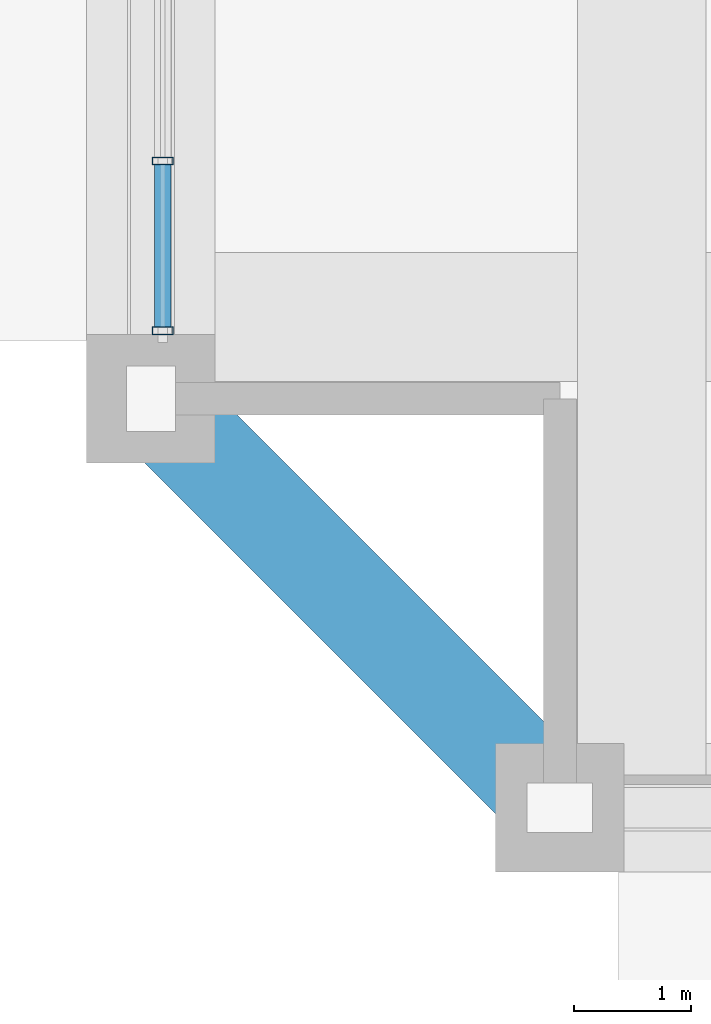
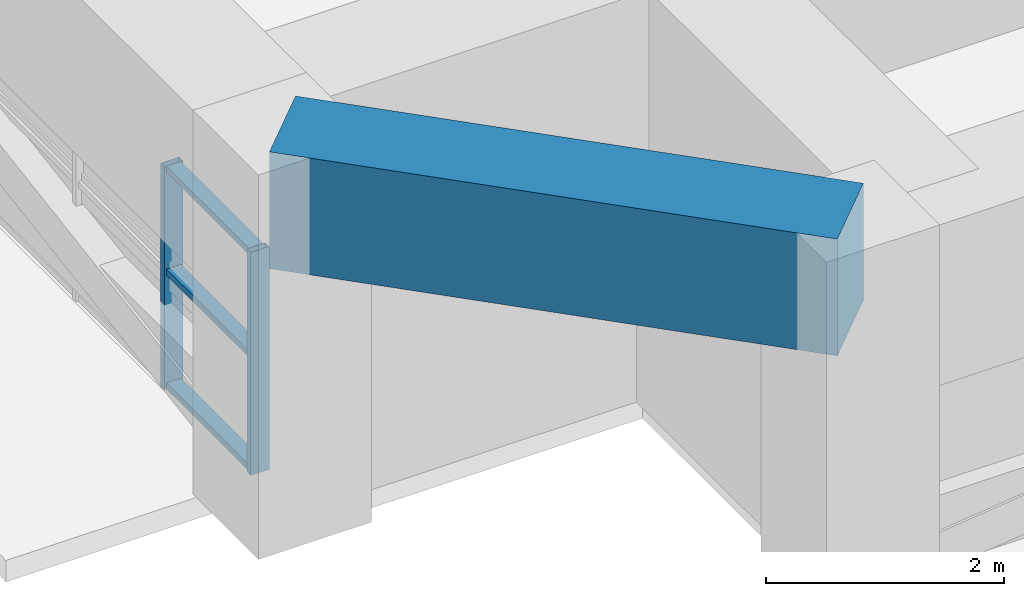
# One storey, part 2 of 35: 5 members, 1 beam, 1 element without a shape of its own.
"""IFC4 building model written with IfcOpenShell, lengths in metres."""

import ifcopenshell
import ifcopenshell.guid

model = None  # the IFC model being written
_history = None  # IfcOwnerHistory: only IFC2X3 demands one
_inside = {}  # id of a spatial element -> (the spatial element, [elements in it])
_under = {}  # id of a project, library or spatial element -> (it, [spatial elements below it])
_declared = {}  # id of a project -> (the project, [libraries it declares])
_typed = {}  # id of a type object -> (the type object, [elements of that type])
_made_of = {}  # id of a material, layer set ... -> (it, [elements and type objects made of it])


def new_model(schema):
    """Start an empty IFC model of exactly this schema.

    Asked for "IFC4X3", IfcOpenShell would pick the latest addendum, in which some entities
    have other attributes; the version numbers below select the first issue.
    IFC2X3 requires an IfcOwnerHistory on every rooted entity: one is made here for all.
    """
    global model, _history
    if schema == "IFC4X3":
        model = ifcopenshell.file(schema_version=(4, 3, 0, 0))
    else:
        model = ifcopenshell.file(schema=schema)
    _inside.clear()
    _under.clear()
    _declared.clear()
    _typed.clear()
    _made_of.clear()
    _history = None
    if model.schema == "IFC2X3":
        org = make("IfcOrganization", Name="unknown")
        user = make(
            "IfcPersonAndOrganization",
            ThePerson=make("IfcPerson", FamilyName="unknown"),
            TheOrganization=org,
        )
        app = make(
            "IfcApplication",
            ApplicationDeveloper=org,
            Version="unknown",
            ApplicationFullName="unknown",
            ApplicationIdentifier="unknown",
        )
        _history = make(
            "IfcOwnerHistory",
            OwningUser=user,
            OwningApplication=app,
            ChangeAction="ADDED",
            CreationDate=0,
        )
    return model


def make(cls, **values):
    """One entity of the class cls with the attributes given. An attribute that is None is left unset."""
    return model.create_entity(
        cls, **{name: value for name, value in values.items() if value is not None}
    )


def rooted(cls, **values):
    """An entity with a GlobalId (a new one), such as an element, a storey or a relation."""
    return make(cls, GlobalId=ifcopenshell.guid.new(), OwnerHistory=_history, **values)


def si_unit(unit_type, name, prefix=None):
    """IfcSIUnit, for example si_unit("LENGTHUNIT", "METRE", prefix="MILLI")."""
    return make("IfcSIUnit", UnitType=unit_type, Prefix=prefix, Name=name)


def assignment(units):
    """IfcUnitAssignment: the units of a project."""
    return None if units is None else make("IfcUnitAssignment", Units=units)


def point(xyz):
    """IfcCartesianPoint."""
    return None if xyz is None else make("IfcCartesianPoint", Coordinates=xyz)


def direction(xyz):
    """IfcDirection."""
    return None if xyz is None else make("IfcDirection", DirectionRatios=xyz)


def frame(location, z_axis=None, x_axis=None):
    """IfcAxis2Placement3D, a coordinate frame: its origin and axes. An axis left out is left unset."""
    return make(
        "IfcAxis2Placement3D",
        Location=point(location),
        Axis=direction(z_axis),
        RefDirection=direction(x_axis),
    )


def frame_2d(location, x_axis=None):
    """IfcAxis2Placement2D, a coordinate frame in the plane: its origin and x axis."""
    return make(
        "IfcAxis2Placement2D", Location=point(location), RefDirection=direction(x_axis)
    )


def origin():
    """The frame at (0, 0, 0) with its axes left unset."""
    return frame((0.0, 0.0, 0.0))


def origin_2d():
    """The frame at (0, 0) in the plane with its x axis left unset."""
    return frame_2d((0.0, 0.0))


def place(relative_to, where):
    """IfcLocalPlacement: puts the frame where relative to a parent placement (None: the world)."""
    return make(
        "IfcLocalPlacement", PlacementRelTo=relative_to, RelativePlacement=where
    )


def context(
    kind, dimensions, precision=None, world=None, true_north=None, identifier=None
):
    """IfcGeometricRepresentationContext, for example the 3D "Model" context."""
    return make(
        "IfcGeometricRepresentationContext",
        ContextIdentifier=identifier,
        ContextType=kind,
        CoordinateSpaceDimension=dimensions,
        Precision=precision,
        WorldCoordinateSystem=world,
        TrueNorth=true_north,
    )


def subcontext(parent, identifier, kind, view, scale=None):
    """IfcGeometricRepresentationSubContext, for example "Body" below "Model"."""
    return make(
        "IfcGeometricRepresentationSubContext",
        ContextIdentifier=identifier,
        ContextType=kind,
        ParentContext=parent,
        TargetScale=scale,
        TargetView=view,
    )


def project(units=None, contexts=None):
    """IfcProject with its units and contexts."""
    return rooted(
        "IfcProject",
        Name="project",
        RepresentationContexts=contexts,
        UnitsInContext=assignment(units),
    )


def spatial(cls, under=None, at=None, **own):
    """A site, building, storey or space (cls), placed at a placement, below another one or the project."""
    s = rooted(cls, ObjectPlacement=at, **own)
    if under is not None:
        _under.setdefault(under.id(), (under, []))[1].append(s)
    return s


def profile(cls, at=None, kind="AREA", **sizes):
    """A parametric profile (cls). Its sizes go by their IFC names, for example OverallWidth=200.0."""
    return make(cls, ProfileType=kind, Position=at, **sizes)


def rectangle(**sizes):
    """IfcRectangleProfileDef."""
    return profile("IfcRectangleProfileDef", **sizes)


def hollow_rectangle(**sizes):
    """IfcRectangleHollowProfileDef."""
    return profile("IfcRectangleHollowProfileDef", **sizes)


def extrude(swept, where, along, depth):
    """IfcExtrudedAreaSolid: the profile swept, set in the frame where, extruded along a direction by depth."""
    return make(
        "IfcExtrudedAreaSolid",
        SweptArea=swept,
        Position=where,
        ExtrudedDirection=direction(along),
        Depth=depth,
    )


def shape(context_of_items, identifier, shape_type, items):
    """IfcShapeRepresentation: the items that make up one representation, for example the "Body"."""
    return make(
        "IfcShapeRepresentation",
        ContextOfItems=context_of_items,
        RepresentationIdentifier=identifier,
        RepresentationType=shape_type,
        Items=items,
    )


def source(mapping_origin, context_of_items, identifier, shape_type, items):
    """IfcRepresentationMap: a shape defined once, which mapped items show again and again."""
    return make(
        "IfcRepresentationMap",
        MappingOrigin=mapping_origin,
        MappedRepresentation=shape(context_of_items, identifier, shape_type, items),
    )


def transform(
    local_origin,
    x_axis=None,
    y_axis=None,
    z_axis=None,
    scale=None,
    scale2=None,
    scale3=None,
    uniform=True,
):
    """IfcCartesianTransformationOperator3D, or its non-uniform kind. x_axis, y_axis, z_axis: its Axis1, 2, 3."""
    if uniform:
        return make(
            "IfcCartesianTransformationOperator3D",
            Axis1=direction(x_axis),
            Axis2=direction(y_axis),
            LocalOrigin=point(local_origin),
            Scale=scale,
            Axis3=direction(z_axis),
        )
    return make(
        "IfcCartesianTransformationOperator3DnonUniform",
        Axis1=direction(x_axis),
        Axis2=direction(y_axis),
        LocalOrigin=point(local_origin),
        Scale=scale,
        Axis3=direction(z_axis),
        Scale2=scale2,
        Scale3=scale3,
    )


def mapped(mapping_source, mapping_target):
    """IfcMappedItem: shows the shape of a source again, moved by a transform."""
    return make(
        "IfcMappedItem", MappingSource=mapping_source, MappingTarget=mapping_target
    )


def material(Name=None, Category=None):
    """IfcMaterial."""
    return make("IfcMaterial", Name=Name, Category=Category)


def layer(
    of_material, thickness, ventilated=None, Name=None, Category=None, Priority=None
):
    """IfcMaterialLayer: one layer of a wall or slab, of a material (None: an air gap)."""
    return make(
        "IfcMaterialLayer",
        Material=of_material,
        LayerThickness=thickness,
        IsVentilated=ventilated,
        Name=Name,
        Category=Category,
        Priority=Priority,
    )


def layer_set(layers, Name=None):
    """IfcMaterialLayerSet."""
    return make("IfcMaterialLayerSet", MaterialLayers=layers, LayerSetName=Name)


def material_profile(
    of_material, cross_section, Name=None, Category=None, Priority=None
):
    """IfcMaterialProfile: a cross section and its material."""
    return make(
        "IfcMaterialProfile",
        Name=Name,
        Material=of_material,
        Profile=cross_section,
        Priority=Priority,
        Category=Category,
    )


def profile_set(profiles, Name=None, composite=None):
    """IfcMaterialProfileSet."""
    return make(
        "IfcMaterialProfileSet",
        Name=Name,
        MaterialProfiles=profiles,
        CompositeProfile=composite,
    )


def made_of(thing, what):
    """Note that an element or type object is made of a material, layer set ...; save() writes the relation."""
    if what is not None:
        _made_of.setdefault(what.id(), (what, []))[1].append(thing)
    return thing


def type_object(cls, material=None, **own):
    """A type object (cls), such as IfcWallType, which elements share."""
    return made_of(rooted(cls, **own), material)


def element(
    cls,
    number,
    at=None,
    inside=None,
    cuts=None,
    type_object=None,
    material=None,
    context=None,
    identifier="Body",
    shape_type=None,
    held_by="IfcProductDefinitionShape",
    body=None,
    shapes=None,
    **own,
):
    """One element of the class cls, such as IfcWall. Its Tag is "e" and its number.

    at: its placement. inside: the storey or other place that contains it. cuts: it is an
    opening in that element (IfcRelVoidsElement). A single representation is given by context,
    identifier, shape_type and body (its items); several are given by shapes. held_by: the class
    of the entity that holds the representations. save() writes the other relations.
    """
    e = rooted(cls, Tag="e%d" % number, ObjectPlacement=at, **own)
    if body is not None:
        shapes = [shape(context, identifier, shape_type, body)]
    if shapes is not None:
        e.Representation = make(held_by, Representations=shapes)
    if inside is not None:
        _inside.setdefault(inside.id(), (inside, []))[1].append(e)
    if cuts is not None:
        rooted(
            "IfcRelVoidsElement", RelatingBuildingElement=cuts, RelatedOpeningElement=e
        )
    if type_object is not None:
        _typed.setdefault(type_object.id(), (type_object, []))[1].append(e)
    return made_of(e, material)


def aggregate(whole, parts):
    """IfcRelAggregates: a whole, such as a stair, and the parts it consists of."""
    return rooted("IfcRelAggregates", RelatingObject=whole, RelatedObjects=parts)


def save(model, path):
    """Write the relations noted so far, then the file.

    IfcRelAggregates (storeys below a building ...), IfcRelContainedInSpatialStructure (elements
    in a storey), IfcRelDefinesByType, IfcRelAssociatesMaterial and IfcRelDeclares: one each for
    every whole, place, type object, material and project.
    """
    for whole, parts in _under.values():
        aggregate(whole, parts)
    for where, things in _inside.values():
        rooted(
            "IfcRelContainedInSpatialStructure",
            RelatedElements=things,
            RelatingStructure=where,
        )
    for kind, things in _typed.values():
        rooted("IfcRelDefinesByType", RelatedObjects=things, RelatingType=kind)
    for what, things in _made_of.values():
        rooted("IfcRelAssociatesMaterial", RelatedObjects=things, RelatingMaterial=what)
    for by, libraries in _declared.values():
        rooted("IfcRelDeclares", RelatingContext=by, RelatedDefinitions=libraries)
    model.write(path)


model = new_model("IFC4")

# Units and contexts
model_context = context("Model", 3, precision=1e-05, world=origin(), true_north=direction((0.0, 1.0)))
body_context = subcontext(model_context, "Body", "Model", "MODEL_VIEW")
ifc_project = project(units=[si_unit("LENGTHUNIT", "METRE"), si_unit("AREAUNIT", "SQUARE_METRE"), si_unit("VOLUMEUNIT", "CUBIC_METRE"), si_unit("PLANEANGLEUNIT", "RADIAN"), si_unit("MASSUNIT", "GRAM", prefix="KILO")], contexts=[model_context])

# Site, building, storey
site_placement = place(None, origin())
site = spatial("IfcSite", under=ifc_project, at=site_placement, CompositionType="ELEMENT")
building_placement = place(site_placement, origin())
building = spatial("IfcBuilding", under=site, at=building_placement, Name="Saelheon Loggia Tower", CompositionType="ELEMENT")
storey_placement = place(building_placement, frame((0.0, 0.0, 70.39990234375)))
storey = spatial("IfcBuildingStorey", under=building, at=storey_placement, Name="L22", CompositionType="ELEMENT", Elevation=70.39990234375)

# Beam
ifc_material_1 = material(Name="Concrete C50/60", Category="concrete")
ifc_material_profile_1 = material_profile(ifc_material_1, rectangle(XDim=0.85009765625, YDim=1.199951171875, at=origin_2d()), Name="RC-850x1200")
ifc_profile_set_1 = profile_set([ifc_material_profile_1], Name="Concrete C50/60")
beam_type = type_object("IfcBeamType", Name="Beam_CornerShoulder_RC850x1200", PredefinedType="BEAM", material=ifc_profile_set_1)
shared_shape_1 = source(origin(), body_context, "Body", "SweptSolid", [
    extrude(rectangle(XDim=0.85009765625, YDim=1.199951171875, at=origin_2d()), origin(), (0.0, 0.0, 1.0), 4.94970703125),
])
beam_placement = place(storey_placement, frame((12.0, 6.5, 3.35009765625), z_axis=(0.707106781187, -0.707106781187, 0.0), x_axis=(0.707106781187, 0.707106781187, 0.0)))
element("IfcBeam", 1, at=beam_placement, inside=storey, type_object=beam_type, Name="L22 Corner Shoulder Beam 16", PredefinedType="BEAM", context=body_context, shape_type="MappedRepresentation", body=[
    mapped(shared_shape_1, transform((0.0, 0.0, 0.0), scale=1.0)),
])

# Curtain wall, members
ifc_material_2 = material(Name="Anodised Aluminium Acoustic Louvre Curtain Wall", Category="aluminium")
ifc_layer = layer(ifc_material_2, 0.179931640625)
ifc_layer_set = layer_set([ifc_layer], Name="Anodised Aluminium Acoustic Louvre Curtain Wall")
curtain_wall_type = type_object("IfcCurtainWallType", Name="CW_RefugeAcoustic", PredefinedType="NOTDEFINED", material=ifc_layer_set)
curtain_wall_placement = place(storey_placement, origin())
curtain_wall = element("IfcCurtainWall", 2, at=curtain_wall_placement, inside=storey, type_object=curtain_wall_type, Name="L22 W Refuge Acoustic Curtain Wall 1", PredefinedType="NOTDEFINED")
ifc_material_3 = material(Name="Anodised Aluminium 6063-T6", Category="aluminium")
ifc_material_profile_2 = material_profile(ifc_material_3, hollow_rectangle(XDim=0.06494140625, YDim=0.179931640625, WallThickness=0.00390625, at=origin_2d()), Name="RHS-180x65x4")
ifc_profile_set_2 = profile_set([ifc_material_profile_2], Name="Anodised Aluminium 6063-T6")
member_type_1 = type_object("IfcMemberType", Name="CW_RefugeAcoustic_Mullion", PredefinedType="MULLION", material=ifc_profile_set_2)
shared_shape_2 = source(origin(), body_context, "Body", "SweptSolid", [
    extrude(hollow_rectangle(XDim=0.06494140625, YDim=0.179931640625, WallThickness=0.00390625, at=origin_2d()), origin(), (0.0, 0.0, 1.0), 2.2900390625),
])
member_1_placement = place(storey_placement, frame((12.10009765625, 7.08251953125, 0.0), z_axis=(0.0, 0.0, 1.0), x_axis=(0.0, 1.0, 0.0)))
member_1 = element("IfcMember", 3, at=member_1_placement, type_object=member_type_1, Name="CW5 mullion 1", PredefinedType="MULLION", context=body_context, shape_type="MappedRepresentation", body=[
    mapped(shared_shape_2, transform((0.0, 0.0, 0.0), scale=1.0)),
])
member_2_placement = place(storey_placement, frame((12.10009765625, 8.53564453125, 0.0), z_axis=(0.0, 0.0, 1.0), x_axis=(0.0, 1.0, 0.0)))
member_2 = element("IfcMember", 4, at=member_2_placement, type_object=member_type_1, Name="CW5 mullion 2", PredefinedType="MULLION", context=body_context, shape_type="MappedRepresentation", body=[
    mapped(shared_shape_2, transform((0.0, 0.0, 0.0), scale=1.0)),
])
ifc_material_profile_3 = material_profile(ifc_material_3, hollow_rectangle(XDim=0.06494140625, YDim=0.139892578125, WallThickness=0.00390625, at=origin_2d()), Name="RHS-140x65x4")
ifc_profile_set_3 = profile_set([ifc_material_profile_3], Name="Anodised Aluminium 6063-T6")
member_type_2 = type_object("IfcMemberType", Name="CW_RefugeAcoustic_Transom", PredefinedType="USERDEFINED", material=ifc_profile_set_3)
shared_shape_3 = source(origin(), body_context, "Body", "SweptSolid", [
    extrude(hollow_rectangle(XDim=0.06494140625, YDim=0.139892578125, WallThickness=0.00390625, at=origin_2d()), origin(), (0.0, 0.0, 1.0), 1.38818359375),
])
member_3_placement = place(storey_placement, frame((12.10009765625, 7.114990234375, 0.03271484375), z_axis=(0.0, 1.0, 0.0), x_axis=(0.0, 0.0, 1.0)))
member_3 = element("IfcMember", 5, at=member_3_placement, type_object=member_type_2, Name="CW5 transom 1.1", ObjectType="TRANSOM", PredefinedType="USERDEFINED", context=body_context, shape_type="MappedRepresentation", body=[
    mapped(shared_shape_3, transform((0.0, 0.0, 0.0), scale=1.0)),
])
member_4_placement = place(storey_placement, frame((12.10009765625, 7.114990234375, 1.2001953125), z_axis=(0.0, 1.0, 0.0), x_axis=(0.0, 0.0, 1.0)))
member_4 = element("IfcMember", 6, at=member_4_placement, type_object=member_type_2, Name="CW5 transom 1.2", ObjectType="TRANSOM", PredefinedType="USERDEFINED", context=body_context, shape_type="MappedRepresentation", body=[
    mapped(shared_shape_3, transform((0.0, 0.0, 0.0), scale=1.0)),
])
member_5_placement = place(storey_placement, frame((12.10009765625, 7.114990234375, 2.257568359375), z_axis=(0.0, 1.0, 0.0), x_axis=(0.0, 0.0, 1.0)))
member_5 = element("IfcMember", 7, at=member_5_placement, type_object=member_type_2, Name="CW5 transom 1.3", ObjectType="TRANSOM", PredefinedType="USERDEFINED", context=body_context, shape_type="MappedRepresentation", body=[
    mapped(shared_shape_3, transform((0.0, 0.0, 0.0), scale=1.0)),
])
aggregate(curtain_wall, [member_1, member_2, member_3, member_4, member_5])

save(model, "model.ifc")
